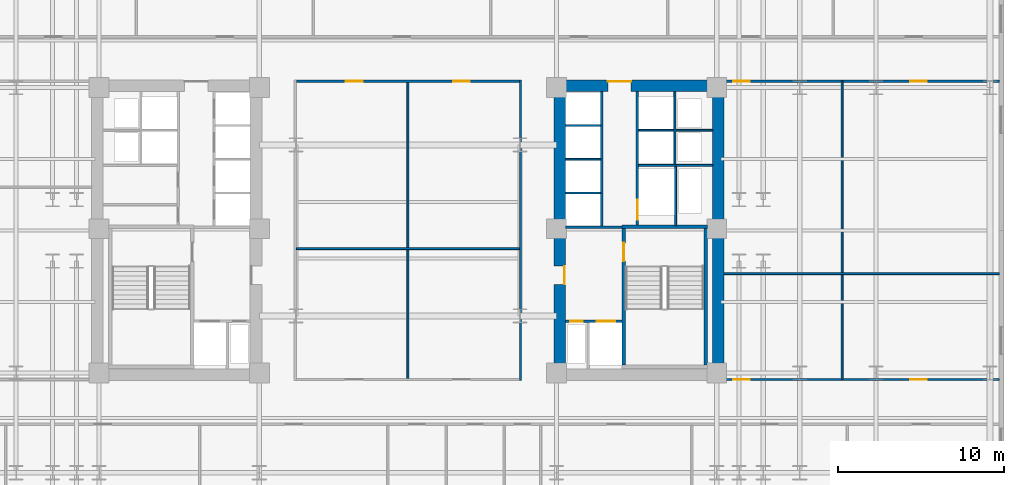
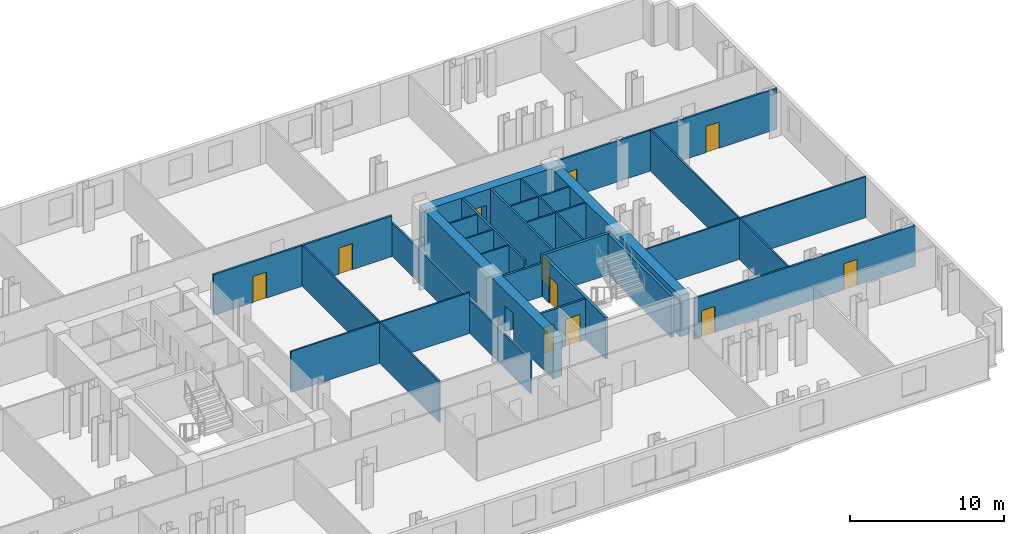
# One storey, part 6 of 10: 26 walls, 12 doors, 12 openings.
"""IFC4 building model written with IfcOpenShell, lengths in metres."""

from ifc_helpers import new_model, si_unit, direction, frame, frame_2d, origin, place, context, subcontext, project, spatial, rectangle, extrude, material, layer, layer_set, type_object, element, fill, save


model = new_model("IFC4")

# Units and contexts
model_context = context("Model", 3, precision=1e-05, world=origin(), true_north=direction((0.0, 1.0)))
body_context = subcontext(model_context, "Body", "Model", "MODEL_VIEW")
ifc_project = project(units=[si_unit("LENGTHUNIT", "METRE"), si_unit("AREAUNIT", "SQUARE_METRE"), si_unit("VOLUMEUNIT", "CUBIC_METRE"), si_unit("PLANEANGLEUNIT", "RADIAN"), si_unit("MASSUNIT", "GRAM", prefix="KILO")], contexts=[model_context])

# Site, building, storey
site_placement = place(None, origin())
site = spatial("IfcSite", under=ifc_project, at=site_placement, CompositionType="ELEMENT")
building_placement = place(site_placement, origin())
building = spatial("IfcBuilding", under=site, at=building_placement, Name="Velakula Bourse", CompositionType="ELEMENT")
storey_placement = place(building_placement, frame((0.0, 0.0, 58.800048828125)))
storey = spatial("IfcBuildingStorey", under=building, at=storey_placement, Name="L15", CompositionType="ELEMENT", Elevation=58.800048828125)

# Wall, opening, door
ifc_material_1 = material(Name="Concrete M50 (fck 50 MPa)", Category="concrete")
ifc_layer_1 = layer(ifc_material_1, 0.2099609375, Name="Concrete M50 (fck 50 MPa)", Category="concrete")
ifc_layer_set_1 = layer_set([ifc_layer_1], Name="Concrete M50 (fck 50 MPa)")
wall_type_1 = type_object("IfcWallType", Name="WL-CORE-210", PredefinedType="SHEAR", material=ifc_layer_set_1)
wall_1_placement = place(storey_placement, frame((12.9951171875, -8.10009765625, 0.0), z_axis=(0.0, 0.0, 1.0), x_axis=(0.0, 1.0, 0.0)))
wall_1 = element("IfcWall", 1, at=wall_1_placement, inside=storey, type_object=wall_type_1, Name="L15 Core E Stairwell Shear Wall IN", PredefinedType="SHEAR", context=body_context, shape_type="SweptSolid", body=[
    extrude(rectangle(XDim=8.2001953125, YDim=0.2099609375, at=frame_2d((4.10009765625, 0.0))), origin(), (0.0, 0.0, 1.0), 3.27001953125),
])
opening_1_placement = place(wall_1_placement, frame((6.25, 0.0, 0.0)))
opening_1 = element("IfcOpeningElement", 2, at=opening_1_placement, cuts=wall_1, Name="Opening D-STE1", PredefinedType="OPENING", context=body_context, shape_type="SweptSolid", body=[
    extrude(rectangle(XDim=1.10009765625, YDim=2.14990234375, at=frame_2d((0.550048828125, 1.074951171875))), frame((0.0, 0.114990234375, 0.0), z_axis=(0.0, -1.0, 0.0), x_axis=(1.0, 0.0, 0.0)), (0.0, 0.0, 1.0), 0.22998046875),
])
ifc_material_2 = material(Name="Galvanised painted hollow steel fire door", Category="steel")
door_type_1 = type_object("IfcDoorType", Name="DR-FD120-1100x2150", OperationType="NOTDEFINED", PredefinedType="DOOR", material=ifc_material_2)
door_1_placement = place(opening_1_placement, origin())
door_1 = element("IfcDoor", 3, at=door_1_placement, inside=storey, type_object=door_type_1, Name="L15 Stair ST-E1 Fire Door", OperationType="SINGLE_SWING_RIGHT", OverallHeight=2.14990234375, OverallWidth=1.10009765625, PredefinedType="DOOR", context=body_context, shape_type="SweptSolid", body=[
    extrude(rectangle(XDim=1.10009765625, YDim=2.14990234375, at=frame_2d((0.550048828125, 1.074951171875))), frame((0.0, 0.02490234375, 0.0), z_axis=(0.0, -1.0, 0.0), x_axis=(1.0, 0.0, 0.0)), (0.0, 0.0, 1.0), 0.050048828125),
])
fill(opening_1, door_1)

# Walls
wall_2_placement = place(storey_placement, frame((17.925048828125, -8.10009765625, 0.0), z_axis=(0.0, 0.0, 1.0), x_axis=(0.0, 1.0, 0.0)))
element("IfcWall", 4, at=wall_2_placement, inside=storey, type_object=wall_type_1, Name="L15 Core E Stairwell Shear Wall OUT", PredefinedType="SHEAR", context=body_context, shape_type="SweptSolid", body=[
    extrude(rectangle(XDim=8.2001953125, YDim=0.2099609375, at=frame_2d((4.10009765625, 0.0))), origin(), (0.0, 0.0, 1.0), 3.27001953125),
])
wall_3_placement = place(storey_placement, frame((18.030029296875, 0.205078125, 0.0), z_axis=(0.0, 0.0, 1.0), x_axis=(-1.0, 0.0, 0.0)))
element("IfcWall", 5, at=wall_3_placement, inside=storey, type_object=wall_type_1, Name="L15 Core E Stairwell Shear Wall N", PredefinedType="SHEAR", context=body_context, shape_type="SweptSolid", body=[
    extrude(rectangle(XDim=5.14013671875, YDim=0.2099609375, at=frame_2d((2.570068359375, 0.0))), origin(), (0.0, 0.0, 1.0), 3.27001953125),
])

# Wall, opening, door
ifc_material_3 = material(Name="Concrete M70 (fck 70 MPa)", Category="concrete")
ifc_layer_2 = layer(ifc_material_3, 0.699951171875, Name="Concrete M70 (fck 70 MPa)", Category="concrete")
ifc_layer_set_2 = layer_set([ifc_layer_2], Name="Concrete M70 (fck 70 MPa)")
wall_type_2 = type_object("IfcWallType", Name="WL-CORE-700", PredefinedType="SHEAR", material=ifc_layer_set_2)
wall_4_placement = place(storey_placement, frame((8.800048828125, 8.699951171875, 0.0), z_axis=(0.0, 0.0, 1.0), x_axis=(1.0, 0.0, 0.0)))
wall_4 = element("IfcWall", 6, at=wall_4_placement, inside=storey, type_object=wall_type_2, Name="L15 Core E Shear Wall N", PredefinedType="SHEAR", context=body_context, shape_type="SweptSolid", body=[
    extrude(rectangle(XDim=10.25, YDim=0.699951171875, at=frame_2d((5.125, 0.0))), origin(), (0.0, 0.0, 1.0), 3.27001953125),
])
opening_2_placement = place(wall_4_placement, frame((3.25, 0.0, 0.0)))
opening_2 = element("IfcOpeningElement", 7, at=opening_2_placement, cuts=wall_4, Name="Opening D-LLE", PredefinedType="OPENING", context=body_context, shape_type="SweptSolid", body=[
    extrude(rectangle(XDim=1.39990234375, YDim=2.050048828125, at=frame_2d((0.699951171875, 1.02490234375))), frame((0.0, 0.35986328125, 0.0), z_axis=(0.0, -1.0, 0.0), x_axis=(1.0, 0.0, 0.0)), (0.0, 0.0, 1.0), 0.719970703125),
])
ifc_material_4 = material(Name="Fire-rated hardwood flush architectural door", Category="wood")
door_type_2 = type_object("IfcDoorType", Name="DR-DBL-FD60-1400", OperationType="DOUBLE_DOOR_SINGLE_SWING", PredefinedType="DOOR", material=ifc_material_4)
door_2_placement = place(opening_2_placement, origin())
door_2 = element("IfcDoor", 8, at=door_2_placement, inside=storey, type_object=door_type_2, Name="L15 Core E Lift Lobby Corridor Double Door", OperationType="DOUBLE_DOOR_SINGLE_SWING", OverallHeight=2.050048828125, OverallWidth=1.39990234375, PredefinedType="DOOR", context=body_context, shape_type="SweptSolid", body=[
    extrude(rectangle(XDim=1.39990234375, YDim=2.050048828125, at=frame_2d((0.699951171875, 1.02490234375))), frame((0.0, 0.294921875, 0.0), z_axis=(0.0, -1.0, 0.0), x_axis=(1.0, 0.0, 0.0)), (0.0, 0.0, 1.0), 0.050048828125),
])
fill(opening_2, door_2)

wall_5_placement = place(storey_placement, frame((9.14990234375, -8.35009765625, 0.0), z_axis=(0.0, 0.0, 1.0), x_axis=(0.0, 1.0, 0.0)))
wall_5 = element("IfcWall", 9, at=wall_5_placement, inside=storey, type_object=wall_type_2, Name="L15 Core E Shear Wall W", PredefinedType="SHEAR", context=body_context, shape_type="SweptSolid", body=[
    extrude(rectangle(XDim=16.7001953125, YDim=0.699951171875, at=frame_2d((8.35009765625, 0.0))), origin(), (0.0, 0.0, 1.0), 3.27001953125),
])
opening_3_placement = place(wall_5_placement, frame((5.10009765625, 0.0, 0.0)))
opening_3 = element("IfcOpeningElement", 10, at=opening_3_placement, cuts=wall_5, Name="Opening D-FLE", PredefinedType="OPENING", context=body_context, shape_type="SweptSolid", body=[
    extrude(rectangle(XDim=1.10009765625, YDim=2.080078125, at=frame_2d((0.550048828125, 1.0400390625))), frame((0.0, 0.35986328125, 0.0), z_axis=(0.0, -1.0, 0.0), x_axis=(1.0, 0.0, 0.0)), (0.0, 0.0, 1.0), 0.719970703125),
])
door_type_3 = type_object("IfcDoorType", Name="DR-FD120-1100", OperationType="NOTDEFINED", PredefinedType="DOOR", material=ifc_material_2)
door_3_placement = place(opening_3_placement, origin())
door_3 = element("IfcDoor", 11, at=door_3_placement, inside=storey, type_object=door_type_3, Name="L15 Firefighting Lobby E Corridor Fire Door", OperationType="SINGLE_SWING_RIGHT", OverallHeight=2.080078125, OverallWidth=1.10009765625, PredefinedType="DOOR", context=body_context, shape_type="SweptSolid", body=[
    extrude(rectangle(XDim=1.10009765625, YDim=2.080078125, at=frame_2d((0.550048828125, 1.0400390625))), frame((0.0, -0.2548828125, 0.0), z_axis=(0.0, -1.0, 0.0), x_axis=(1.0, 0.0, 0.0)), (0.0, 0.0, 1.0), 0.050048828125),
])
fill(opening_3, door_3)

# Walls
wall_6_placement = place(storey_placement, frame((18.699951171875, -8.35009765625, 0.0), z_axis=(0.0, 0.0, 1.0), x_axis=(0.0, 1.0, 0.0)))
element("IfcWall", 12, at=wall_6_placement, inside=storey, type_object=wall_type_2, Name="L15 Core E Shear Wall E", PredefinedType="SHEAR", context=body_context, shape_type="SweptSolid", body=[
    extrude(rectangle(XDim=16.7001953125, YDim=0.699951171875, at=frame_2d((8.35009765625, 0.0))), origin(), (0.0, 0.0, 1.0), 3.27001953125),
])
ifc_material_5 = material(Name="Fire-rated double-layer gypsum drywall partition", Category="gypsum")
ifc_layer_3 = layer(ifc_material_5, 0.1201171875, Name="Fire-rated double-layer gypsum drywall partition", Category="gypsum")
ifc_layer_set_3 = layer_set([ifc_layer_3], Name="Fire-rated double-layer gypsum drywall partition")
wall_type_3 = type_object("IfcWallType", Name="WL-PART-120", PredefinedType="STANDARD", material=ifc_layer_set_3)
for number, where, z_axis, x_axis, name in (
    (13, (9.5, 2.2548828125, 0.0), (0.0, 0.0, 1.0), (1.0, 0.0, 0.0), "L15 Interior Partition WL-CRE-L15-BDIV-0"),
    (14, (9.5, 4.284912109375, 0.0), (0.0, 0.0, 1.0), (1.0, 0.0, 0.0), "L15 Interior Partition WL-CRE-L15-BDIV-1"),
    (15, (9.5, 6.31494140625, 0.0), (0.0, 0.0, 1.0), (1.0, 0.0, 0.0), "L15 Interior Partition WL-CRE-L15-BDIV-2"),
):
    element("IfcWall", number, at=place(storey_placement, frame(where, z_axis=z_axis, x_axis=x_axis)), inside=storey, type_object=wall_type_3, Name=name, PredefinedType="STANDARD", context=body_context, shape_type="SweptSolid", body=[
        extrude(rectangle(XDim=2.10009765625, YDim=0.110107421875, at=frame_2d((1.050048828125, 0.0))), origin(), (0.0, 0.0, 1.0), 3.25),
    ])
wall_7_placement = place(storey_placement, frame((13.89990234375, 3.919921875, 0.0), z_axis=(0.0, 0.0, 1.0), x_axis=(1.0, 0.0, 0.0)))
element("IfcWall", 16, at=wall_7_placement, inside=storey, type_object=wall_type_3, Name="L15 Interior Partition WL-CRE-L15-HI-S", PredefinedType="STANDARD", context=body_context, shape_type="SweptSolid", body=[
    extrude(rectangle(XDim=4.4501953125, YDim=0.1201171875, at=frame_2d((2.22509765625, 0.0))), origin(), (0.0, 0.0, 1.0), 3.25),
])
wall_8_placement = place(storey_placement, frame((16.14990234375, 6.030029296875, 0.0), z_axis=(0.0, 0.0, 1.0), x_axis=(1.0, 0.0, 0.0)))
element("IfcWall", 17, at=wall_8_placement, inside=storey, type_object=wall_type_3, Name="L15 Interior Partition WL-CRE-L15-RIS-MID", PredefinedType="STANDARD", context=body_context, shape_type="SweptSolid", body=[
    extrude(rectangle(XDim=2.2001953125, YDim=0.1201171875, at=frame_2d((1.10009765625, 0.0))), origin(), (0.0, 0.0, 1.0), 3.25),
])
wall_9_placement = place(storey_placement, frame((16.074951171875, 3.97998046875, 0.0), z_axis=(0.0, 0.0, 1.0), x_axis=(0.0, 1.0, 0.0)))
element("IfcWall", 18, at=wall_9_placement, inside=storey, type_object=wall_type_3, Name="L15 Interior Partition WL-CRE-L15-RIS-F", PredefinedType="STANDARD", context=body_context, shape_type="SweptSolid", body=[
    extrude(rectangle(XDim=4.3701171875, YDim=0.1201171875, at=frame_2d((2.18505859375, 0.0))), origin(), (0.0, 0.0, 1.0), 3.25),
])
wall_10_placement = place(storey_placement, frame((13.89990234375, 6.030029296875, 0.0), z_axis=(0.0, 0.0, 1.0), x_axis=(1.0, 0.0, 0.0)))
element("IfcWall", 19, at=wall_10_placement, inside=storey, type_object=wall_type_3, Name="L15 Interior Partition WL-CRE-L15-HI-DIV", PredefinedType="STANDARD", context=body_context, shape_type="SweptSolid", body=[
    extrude(rectangle(XDim=2.10009765625, YDim=0.1201171875, at=frame_2d((1.050048828125, 0.0))), origin(), (0.0, 0.0, 1.0), 3.25),
])
wall_11_placement = place(storey_placement, frame((16.125, 0.27001953125, 0.0), z_axis=(0.0, 0.0, 1.0), x_axis=(0.0, 1.0, 0.0)))
element("IfcWall", 20, at=wall_11_placement, inside=storey, type_object=wall_type_3, Name="L15 Interior Partition WL-CRE-L15-SVL-E", PredefinedType="STANDARD", context=body_context, shape_type="SweptSolid", body=[
    extrude(rectangle(XDim=3.590087890625, YDim=0.1201171875, at=frame_2d((1.794921875, 0.0))), origin(), (0.0, 0.0, 1.0), 3.25),
])
wall_12_placement = place(storey_placement, frame((19.050048828125, -2.60009765625, 0.0), z_axis=(0.0, 0.0, 1.0), x_axis=(1.0, 0.0, 0.0)))
element("IfcWall", 21, at=wall_12_placement, inside=storey, type_object=wall_type_3, Name="L15 Interior Partition WL-INT-L15-E-H", PredefinedType="STANDARD", context=body_context, shape_type="SweptSolid", body=[
    extrude(rectangle(XDim=16.570068359375, YDim=0.1201171875, at=frame_2d((8.28515625, 0.0))), origin(), (0.0, 0.0, 1.0), 3.25),
])
wall_13_placement = place(storey_placement, frame((26.155029296875, -8.97998046875, 0.0), z_axis=(0.0, 0.0, 1.0), x_axis=(0.0, 1.0, 0.0)))
element("IfcWall", 22, at=wall_13_placement, inside=storey, type_object=wall_type_3, Name="L15 Interior Partition WL-INT-L15-E-V1", PredefinedType="STANDARD", context=body_context, shape_type="SweptSolid", body=[
    extrude(rectangle(XDim=17.9599609375, YDim=0.1201171875, at=frame_2d((8.97998046875, 0.0))), origin(), (0.0, 0.0, 1.0), 3.25),
])

# Wall, openings, doors
ifc_layer_4 = layer(ifc_material_5, 0.139892578125, Name="Fire-rated double-layer gypsum drywall partition", Category="gypsum")
ifc_layer_set_4 = layer_set([ifc_layer_4], Name="Fire-rated double-layer gypsum drywall partition")
wall_type_4 = type_object("IfcWallType", Name="WL-PART-140", PredefinedType="STANDARD", material=ifc_layer_set_4)
wall_14_placement = place(storey_placement, frame((19.050048828125, 8.97998046875, 0.0), z_axis=(0.0, 0.0, 1.0), x_axis=(1.0, 0.0, 0.0)))
wall_14 = element("IfcWall", 23, at=wall_14_placement, inside=storey, type_object=wall_type_4, Name="L15 Interior Partition WL-INT-L15-E-NC", PredefinedType="STANDARD", context=body_context, shape_type="SweptSolid", body=[
    extrude(rectangle(XDim=16.570068359375, YDim=0.139892578125, at=frame_2d((8.28515625, 0.0))), origin(), (0.0, 0.0, 1.0), 3.25),
])
opening_4_placement = place(wall_14_placement, frame((0.531982421875, 0.0, 0.0)))
opening_4 = element("IfcOpeningElement", 24, at=opening_4_placement, cuts=wall_14, Name="Opening D-OF1", PredefinedType="OPENING", context=body_context, shape_type="SweptSolid", body=[
    extrude(rectangle(XDim=1.0, YDim=2.080078125, at=frame_2d((0.5, 1.0400390625))), frame((0.0, 0.079833984375, 0.0), z_axis=(0.0, -1.0, 0.0), x_axis=(1.0, 0.0, 0.0)), (0.0, 0.0, 1.0), 0.159912109375),
])
opening_5_placement = place(wall_14_placement, frame((11.20751953125, 0.0, 0.0)))
opening_5 = element("IfcOpeningElement", 25, at=opening_5_placement, cuts=wall_14, Name="Opening D-OF1", PredefinedType="OPENING", context=body_context, shape_type="SweptSolid", body=[
    extrude(rectangle(XDim=1.0, YDim=2.080078125, at=frame_2d((0.5, 1.0400390625))), frame((0.0, 0.079833984375, 0.0), z_axis=(0.0, -1.0, 0.0), x_axis=(1.0, 0.0, 0.0)), (0.0, 0.0, 1.0), 0.159912109375),
])
door_type_4 = type_object("IfcDoorType", Name="DR-OFF-1000", OperationType="NOTDEFINED", PredefinedType="DOOR", material=ifc_material_4)
door_4_placement = place(opening_4_placement, origin())
door_4 = element("IfcDoor", 26, at=door_4_placement, inside=storey, type_object=door_type_4, Name="L15 Chief Risk Officer Chamber Door", OperationType="SINGLE_SWING_LEFT", OverallHeight=2.080078125, OverallWidth=1.0, PredefinedType="DOOR", context=body_context, shape_type="SweptSolid", body=[
    extrude(rectangle(XDim=1.0, YDim=2.080078125, at=frame_2d((0.5, 1.0400390625))), frame((0.0, 0.02490234375, 0.0), z_axis=(0.0, -1.0, 0.0), x_axis=(1.0, 0.0, 0.0)), (0.0, 0.0, 1.0), 0.050048828125),
])
fill(opening_4, door_4)
door_5_placement = place(opening_5_placement, origin())
door_5 = element("IfcDoor", 27, at=door_5_placement, inside=storey, type_object=door_type_4, Name="L15 Disciplinary Hearing Room Door", OperationType="SINGLE_SWING_RIGHT", OverallHeight=2.080078125, OverallWidth=1.0, PredefinedType="DOOR", context=body_context, shape_type="SweptSolid", body=[
    extrude(rectangle(XDim=1.0, YDim=2.080078125, at=frame_2d((0.5, 1.0400390625))), frame((0.0, 0.02490234375, 0.0), z_axis=(0.0, -1.0, 0.0), x_axis=(1.0, 0.0, 0.0)), (0.0, 0.0, 1.0), 0.050048828125),
])
fill(opening_5, door_5)

wall_15_placement = place(storey_placement, frame((19.050048828125, -8.97998046875, 0.0), z_axis=(0.0, 0.0, 1.0), x_axis=(1.0, 0.0, 0.0)))
wall_15 = element("IfcWall", 28, at=wall_15_placement, inside=storey, type_object=wall_type_4, Name="L15 Interior Partition WL-INT-L15-E-SC", PredefinedType="STANDARD", context=body_context, shape_type="SweptSolid", body=[
    extrude(rectangle(XDim=16.570068359375, YDim=0.139892578125, at=frame_2d((8.28515625, 0.0))), origin(), (0.0, 0.0, 1.0), 3.25),
])
opening_6_placement = place(wall_15_placement, frame((0.531982421875, 0.0, 0.0)))
opening_6 = element("IfcOpeningElement", 29, at=opening_6_placement, cuts=wall_15, Name="Opening D-OF1", PredefinedType="OPENING", context=body_context, shape_type="SweptSolid", body=[
    extrude(rectangle(XDim=1.0, YDim=2.080078125, at=frame_2d((0.5, 1.0400390625))), frame((0.0, 0.079833984375, 0.0), z_axis=(0.0, -1.0, 0.0), x_axis=(1.0, 0.0, 0.0)), (0.0, 0.0, 1.0), 0.159912109375),
])
opening_7_placement = place(wall_15_placement, frame((11.20751953125, 0.0, 0.0)))
opening_7 = element("IfcOpeningElement", 30, at=opening_7_placement, cuts=wall_15, Name="Opening D-OF1", PredefinedType="OPENING", context=body_context, shape_type="SweptSolid", body=[
    extrude(rectangle(XDim=1.0, YDim=2.080078125, at=frame_2d((0.5, 1.0400390625))), frame((0.0, 0.079833984375, 0.0), z_axis=(0.0, -1.0, 0.0), x_axis=(1.0, 0.0, 0.0)), (0.0, 0.0, 1.0), 0.159912109375),
])
door_6_placement = place(opening_6_placement, origin())
door_6 = element("IfcDoor", 31, at=door_6_placement, inside=storey, type_object=door_type_4, Name="L15 Chief Risk Officer Chamber Door", OperationType="SINGLE_SWING_LEFT", OverallHeight=2.080078125, OverallWidth=1.0, PredefinedType="DOOR", context=body_context, shape_type="SweptSolid", body=[
    extrude(rectangle(XDim=1.0, YDim=2.080078125, at=frame_2d((0.5, 1.0400390625))), frame((0.0, 0.02490234375, 0.0), z_axis=(0.0, -1.0, 0.0), x_axis=(1.0, 0.0, 0.0)), (0.0, 0.0, 1.0), 0.050048828125),
])
fill(opening_6, door_6)
door_7_placement = place(opening_7_placement, origin())
door_7 = element("IfcDoor", 32, at=door_7_placement, inside=storey, type_object=door_type_4, Name="L15 Disciplinary Hearing Room Door", OperationType="SINGLE_SWING_RIGHT", OverallHeight=2.080078125, OverallWidth=1.0, PredefinedType="DOOR", context=body_context, shape_type="SweptSolid", body=[
    extrude(rectangle(XDim=1.0, YDim=2.080078125, at=frame_2d((0.5, 1.0400390625))), frame((0.0, 0.02490234375, 0.0), z_axis=(0.0, -1.0, 0.0), x_axis=(1.0, 0.0, 0.0)), (0.0, 0.0, 1.0), 0.050048828125),
])
fill(opening_7, door_7)

# Wall
wall_16_placement = place(storey_placement, frame((6.780029296875, -9.050048828125, 0.0), z_axis=(0.0, 0.0, 1.0), x_axis=(0.0, 1.0, 0.0)))
element("IfcWall", 33, at=wall_16_placement, inside=storey, type_object=wall_type_4, Name="L15 Interior Partition WL-INT-L15-MID-E", PredefinedType="STANDARD", context=body_context, shape_type="SweptSolid", body=[
    extrude(rectangle(XDim=18.10009765625, YDim=0.139892578125, at=frame_2d((9.050048828125, 0.0))), origin(), (0.0, 0.0, 1.0), 2.64501953125),
])

# Wall, openings, doors
wall_17_placement = place(storey_placement, frame((-6.7099609375, 8.97998046875, 0.0), z_axis=(0.0, 0.0, 1.0), x_axis=(1.0, 0.0, 0.0)))
wall_17 = element("IfcWall", 34, at=wall_17_placement, inside=storey, type_object=wall_type_4, Name="L15 Interior Partition WL-INT-L15-MID-N", PredefinedType="STANDARD", context=body_context, shape_type="SweptSolid", body=[
    extrude(rectangle(XDim=13.419921875, YDim=0.139892578125, at=frame_2d((6.7099609375, 0.0))), origin(), (0.0, 0.0, 1.0), 3.25),
])
opening_8_placement = place(wall_17_placement, frame((2.98095703125, 0.0, 0.0)))
opening_8 = element("IfcOpeningElement", 35, at=opening_8_placement, cuts=wall_17, Name="Opening D-OF1", PredefinedType="OPENING", context=body_context, shape_type="SweptSolid", body=[
    extrude(rectangle(XDim=1.0, YDim=2.080078125, at=frame_2d((0.5, 1.0400390625))), frame((0.0, 0.079833984375, 0.0), z_axis=(0.0, -1.0, 0.0), x_axis=(1.0, 0.0, 0.0)), (0.0, 0.0, 1.0), 0.159912109375),
])
opening_9_placement = place(wall_17_placement, frame((9.43896484375, 0.0, 0.0)))
opening_9 = element("IfcOpeningElement", 36, at=opening_9_placement, cuts=wall_17, Name="Opening D-OF1", PredefinedType="OPENING", context=body_context, shape_type="SweptSolid", body=[
    extrude(rectangle(XDim=1.0, YDim=2.080078125, at=frame_2d((0.5, 1.0400390625))), frame((0.0, 0.079833984375, 0.0), z_axis=(0.0, -1.0, 0.0), x_axis=(1.0, 0.0, 0.0)), (0.0, 0.0, 1.0), 0.159912109375),
])
door_8_placement = place(opening_8_placement, origin())
door_8 = element("IfcDoor", 37, at=door_8_placement, inside=storey, type_object=door_type_4, Name="L15 Exchange Governance Office NW Door", OperationType="SINGLE_SWING_LEFT", OverallHeight=2.080078125, OverallWidth=1.0, PredefinedType="DOOR", context=body_context, shape_type="SweptSolid", body=[
    extrude(rectangle(XDim=1.0, YDim=2.080078125, at=frame_2d((0.5, 1.0400390625))), frame((0.0, 0.02490234375, 0.0), z_axis=(0.0, -1.0, 0.0), x_axis=(1.0, 0.0, 0.0)), (0.0, 0.0, 1.0), 0.050048828125),
])
fill(opening_8, door_8)
door_9_placement = place(opening_9_placement, origin())
door_9 = element("IfcDoor", 38, at=door_9_placement, inside=storey, type_object=door_type_4, Name="L15 Exchange Governance Office NE Door", OperationType="SINGLE_SWING_RIGHT", OverallHeight=2.080078125, OverallWidth=1.0, PredefinedType="DOOR", context=body_context, shape_type="SweptSolid", body=[
    extrude(rectangle(XDim=1.0, YDim=2.080078125, at=frame_2d((0.5, 1.0400390625))), frame((0.0, 0.02490234375, 0.0), z_axis=(0.0, -1.0, 0.0), x_axis=(1.0, 0.0, 0.0)), (0.0, 0.0, 1.0), 0.050048828125),
])
fill(opening_9, door_9)

# Walls
wall_18_placement = place(storey_placement, frame((-6.7099609375, -1.10009765625, 0.0), z_axis=(0.0, 0.0, 1.0), x_axis=(1.0, 0.0, 0.0)))
element("IfcWall", 39, at=wall_18_placement, inside=storey, type_object=wall_type_4, Name="L15 Interior Partition WL-INT-L15-MD4H", PredefinedType="STANDARD", context=body_context, shape_type="SweptSolid", body=[
    extrude(rectangle(XDim=13.419921875, YDim=0.1201171875, at=frame_2d((6.7099609375, 0.0))), origin(), (0.0, 0.0, 1.0), 3.25),
])
wall_19_placement = place(storey_placement, frame((0.0, -8.909912109375, 0.0), z_axis=(0.0, 0.0, 1.0), x_axis=(0.0, 1.0, 0.0)))
element("IfcWall", 40, at=wall_19_placement, inside=storey, type_object=wall_type_4, Name="L15 Interior Partition WL-INT-L15-MD4V", PredefinedType="STANDARD", context=body_context, shape_type="SweptSolid", body=[
    extrude(rectangle(XDim=17.81982421875, YDim=0.1201171875, at=frame_2d((8.909912109375, 0.0))), origin(), (0.0, 0.0, 1.0), 3.25),
])

# Wall, openings, doors
ifc_material_6 = material(Name="Autoclaved aerated concrete blockwork masonry", Category="masonry")
ifc_layer_5 = layer(ifc_material_6, 0.14990234375, Name="Autoclaved aerated concrete blockwork masonry", Category="masonry")
ifc_layer_set_5 = layer_set([ifc_layer_5], Name="Autoclaved aerated concrete blockwork masonry")
wall_type_5 = type_object("IfcWallType", Name="WL-SHAFT-150", PredefinedType="STANDARD", material=ifc_layer_set_5)
wall_20_placement = place(storey_placement, frame((9.5, -5.47509765625, 0.0), z_axis=(0.0, 0.0, 1.0), x_axis=(1.0, 0.0, 0.0)))
wall_20 = element("IfcWall", 41, at=wall_20_placement, inside=storey, type_object=wall_type_5, Name="L15 Interior Partition WL-CRE-L15-FFL-N", PredefinedType="STANDARD", context=body_context, shape_type="SweptSolid", body=[
    extrude(rectangle(XDim=3.39501953125, YDim=0.14990234375, at=frame_2d((1.697509765625, 0.0))), origin(), (0.0, 0.0, 1.0), 3.25),
])
opening_10_placement = place(wall_20_placement, frame((1.875, 0.0, 0.0)))
opening_10 = element("IfcOpeningElement", 42, at=opening_10_placement, cuts=wall_20, Name="Opening LD-FFL-2", PredefinedType="OPENING", context=body_context, shape_type="SweptSolid", body=[
    extrude(rectangle(XDim=1.10009765625, YDim=2.14990234375, at=frame_2d((0.550048828125, 1.074951171875))), frame((0.0, 0.0849609375, 0.0), z_axis=(0.0, -1.0, 0.0), x_axis=(1.0, 0.0, 0.0)), (0.0, 0.0, 1.0), 0.169921875),
])
opening_11_placement = place(wall_20_placement, frame((0.27490234375, 0.0, 0.0)))
opening_11 = element("IfcOpeningElement", 43, at=opening_11_placement, cuts=wall_20, Name="Opening D-RS1", PredefinedType="OPENING", context=body_context, shape_type="SweptSolid", body=[
    extrude(rectangle(XDim=0.75, YDim=2.050048828125, at=frame_2d((0.375, 1.02490234375))), frame((0.0, 0.0849609375, 0.0), z_axis=(0.0, -1.0, 0.0), x_axis=(1.0, 0.0, 0.0)), (0.0, 0.0, 1.0), 0.169921875),
])
door_type_5 = type_object("IfcDoorType", Name="DR-RISER-800", OperationType="NOTDEFINED", PredefinedType="DOOR", material=ifc_material_2)
door_10_placement = place(opening_11_placement, origin())
door_10 = element("IfcDoor", 44, at=door_10_placement, inside=storey, type_object=door_type_5, Name="L15 Fire Riser Access Door", OperationType="SINGLE_SWING_LEFT", OverallHeight=2.050048828125, OverallWidth=0.75, PredefinedType="DOOR", context=body_context, shape_type="SweptSolid", body=[
    extrude(rectangle(XDim=0.75, YDim=2.050048828125, at=frame_2d((0.375, 1.02490234375))), frame((0.0, 0.02490234375, 0.0), z_axis=(0.0, -1.0, 0.0), x_axis=(1.0, 0.0, 0.0)), (0.0, 0.0, 1.0), 0.050048828125),
])
fill(opening_11, door_10)
ifc_material_7 = material(Name="Brushed grade 316 stainless steel", Category="steel")
door_type_6 = type_object("IfcDoorType", Name="DR-SLIDE-FFL-1100", OperationType="DOUBLE_DOOR_SLIDING", PredefinedType="DOOR", material=ifc_material_7)
door_11_placement = place(opening_10_placement, origin())
door_11 = element("IfcDoor", 45, at=door_11_placement, inside=storey, type_object=door_type_6, Name="L15 Firefighting Lift FFL-2 Sliding Landing Door", OperationType="DOUBLE_DOOR_SLIDING", OverallHeight=2.14990234375, OverallWidth=1.10009765625, PredefinedType="DOOR", context=body_context, shape_type="SweptSolid", body=[
    extrude(rectangle(XDim=1.10009765625, YDim=2.14990234375, at=frame_2d((0.550048828125, 1.074951171875))), frame((0.0, 0.02490234375, 0.0), z_axis=(0.0, -1.0, 0.0), x_axis=(1.0, 0.0, 0.0)), (0.0, 0.0, 1.0), 0.050048828125),
])
fill(opening_10, door_11)

# Walls
wall_21_placement = place(storey_placement, frame((9.5, 0.18994140625, 0.0), z_axis=(0.0, 0.0, 1.0), x_axis=(1.0, 0.0, 0.0)))
element("IfcWall", 46, at=wall_21_placement, inside=storey, type_object=wall_type_5, Name="L15 Interior Partition WL-CRE-L15-FF-TOP", PredefinedType="STANDARD", context=body_context, shape_type="SweptSolid", body=[
    extrude(rectangle(XDim=3.389892578125, YDim=0.14990234375, at=frame_2d((1.69482421875, 0.0))), origin(), (0.0, 0.0, 1.0), 2.64501953125),
])
wall_22_placement = place(storey_placement, frame((11.675048828125, 0.27001953125, 0.0), z_axis=(0.0, 0.0, 1.0), x_axis=(0.0, 1.0, 0.0)))
element("IfcWall", 47, at=wall_22_placement, inside=storey, type_object=wall_type_5, Name="L15 Interior Partition WL-CRE-L15-BANK-F", PredefinedType="STANDARD", context=body_context, shape_type="SweptSolid", body=[
    extrude(rectangle(XDim=8.080078125, YDim=0.14990234375, at=frame_2d((4.0400390625, 0.0))), origin(), (0.0, 0.0, 1.0), 3.25),
])

# Wall, opening, door
wall_23_placement = place(storey_placement, frame((13.824951171875, 0.27001953125, 0.0), z_axis=(0.0, 0.0, 1.0), x_axis=(0.0, 1.0, 0.0)))
wall_23 = element("IfcWall", 48, at=wall_23_placement, inside=storey, type_object=wall_type_5, Name="L15 Interior Partition WL-CRE-L15-OUT-F", PredefinedType="STANDARD", context=body_context, shape_type="SweptSolid", body=[
    extrude(rectangle(XDim=8.080078125, YDim=0.14990234375, at=frame_2d((4.0400390625, 0.0))), origin(), (0.0, 0.0, 1.0), 3.25),
])
opening_12_placement = place(wall_23_placement, frame((0.3798828125, 0.0, 0.0)))
opening_12 = element("IfcOpeningElement", 49, at=opening_12_placement, cuts=wall_23, Name="Opening LD-SVL1", PredefinedType="OPENING", context=body_context, shape_type="SweptSolid", body=[
    extrude(rectangle(XDim=1.199951171875, YDim=2.10009765625, at=frame_2d((0.60009765625, 1.050048828125))), frame((0.0, 0.0849609375, 0.0), z_axis=(0.0, -1.0, 0.0), x_axis=(1.0, 0.0, 0.0)), (0.0, 0.0, 1.0), 0.169921875),
])
door_type_7 = type_object("IfcDoorType", Name="DR-SLIDE-LD-1200", OperationType="DOUBLE_DOOR_SLIDING", PredefinedType="DOOR", material=ifc_material_7)
door_12_placement = place(opening_12_placement, origin())
door_12 = element("IfcDoor", 50, at=door_12_placement, inside=storey, type_object=door_type_7, Name="L15 Service Lift SVL-1 Sliding Landing Door", OperationType="DOUBLE_DOOR_SLIDING", OverallHeight=2.10009765625, OverallWidth=1.199951171875, PredefinedType="DOOR", context=body_context, shape_type="SweptSolid", body=[
    extrude(rectangle(XDim=1.199951171875, YDim=2.10009765625, at=frame_2d((0.60009765625, 1.050048828125))), frame((0.0, 0.02490234375, 0.0), z_axis=(0.0, -1.0, 0.0), x_axis=(1.0, 0.0, 0.0)), (0.0, 0.0, 1.0), 0.050048828125),
])
fill(opening_12, door_12)

save(model, "model.ifc")
